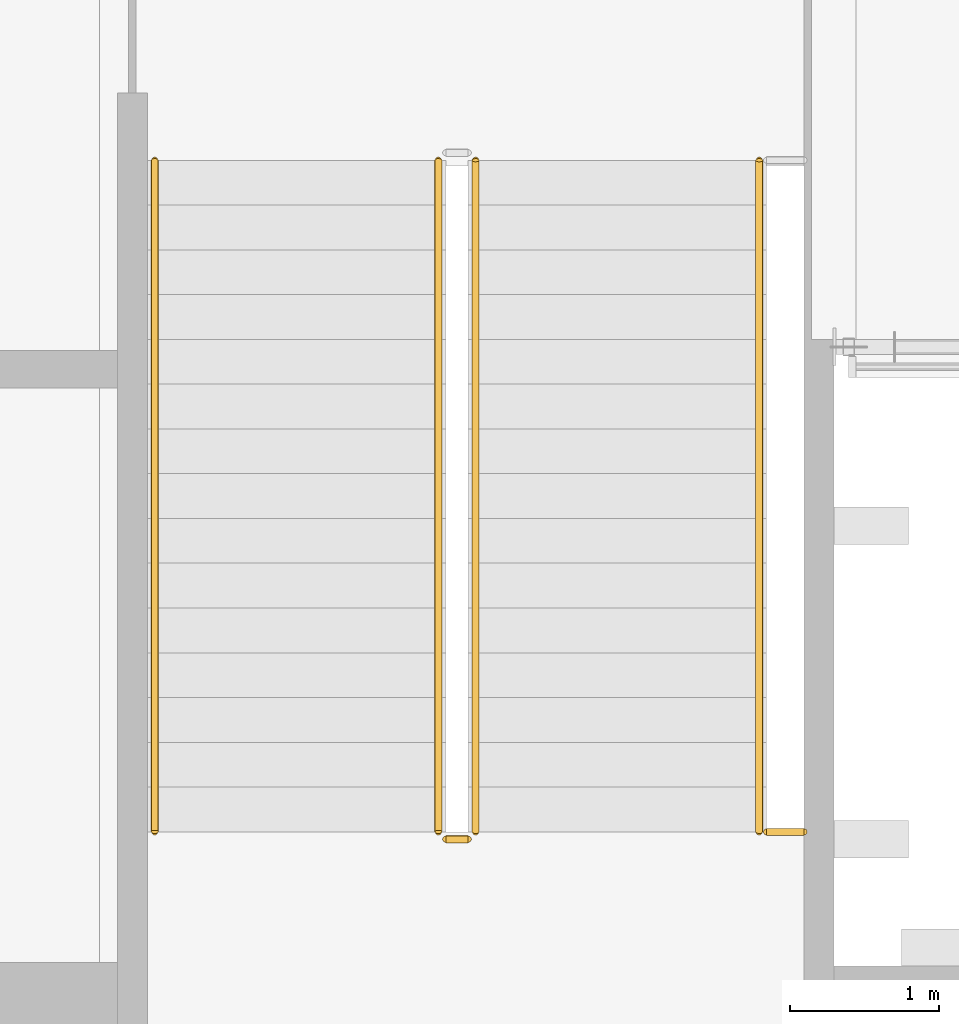
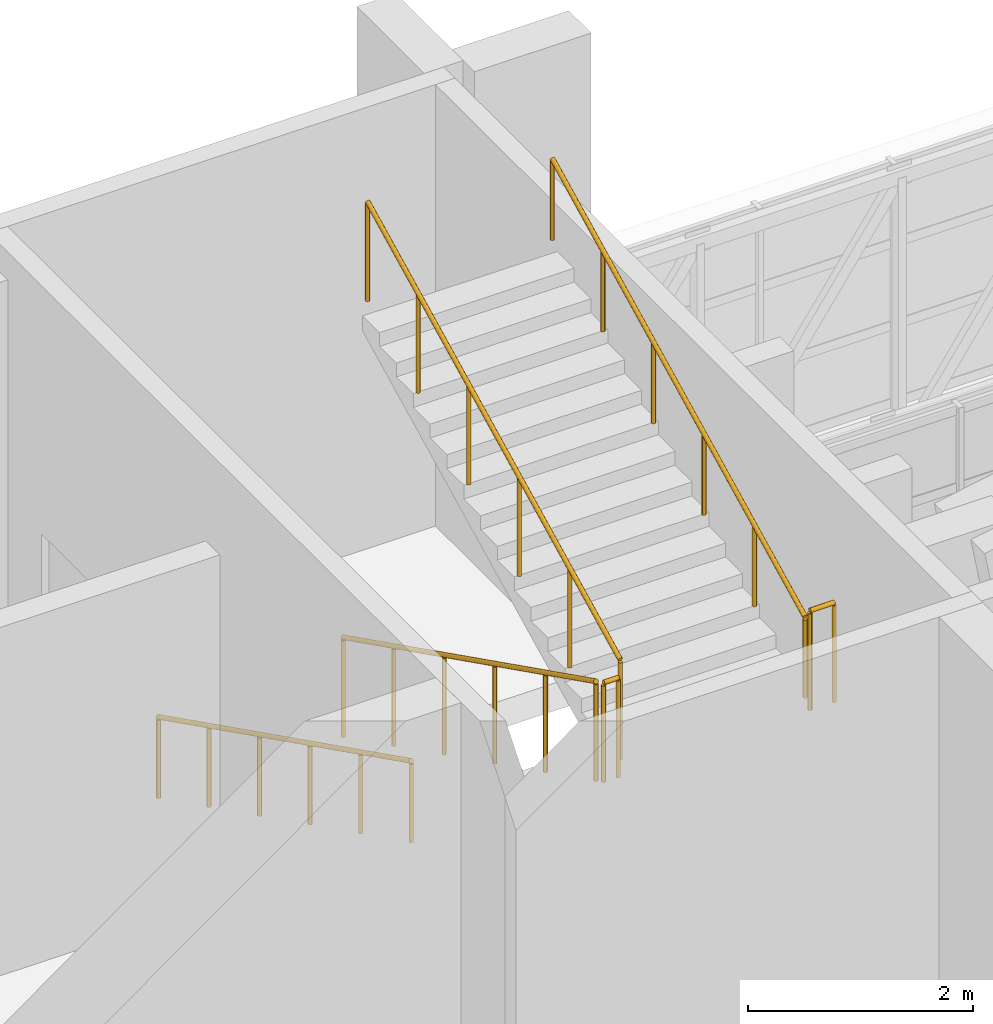
# One storey, part 82 of 91: 6 railings.
"""IFC4 building model written with IfcOpenShell, lengths in metres."""

import ifcopenshell
import ifcopenshell.guid

model = None  # the IFC model being written
_history = None  # IfcOwnerHistory: only IFC2X3 demands one
_inside = {}  # id of a spatial element -> (the spatial element, [elements in it])
_under = {}  # id of a project, library or spatial element -> (it, [spatial elements below it])
_declared = {}  # id of a project -> (the project, [libraries it declares])
_typed = {}  # id of a type object -> (the type object, [elements of that type])
_made_of = {}  # id of a material, layer set ... -> (it, [elements and type objects made of it])


def new_model(schema):
    """Start an empty IFC model of exactly this schema.

    Asked for "IFC4X3", IfcOpenShell would pick the latest addendum, in which some entities
    have other attributes; the version numbers below select the first issue.
    IFC2X3 requires an IfcOwnerHistory on every rooted entity: one is made here for all.
    """
    global model, _history
    if schema == "IFC4X3":
        model = ifcopenshell.file(schema_version=(4, 3, 0, 0))
    else:
        model = ifcopenshell.file(schema=schema)
    _inside.clear()
    _under.clear()
    _declared.clear()
    _typed.clear()
    _made_of.clear()
    _history = None
    if model.schema == "IFC2X3":
        org = make("IfcOrganization", Name="unknown")
        user = make(
            "IfcPersonAndOrganization",
            ThePerson=make("IfcPerson", FamilyName="unknown"),
            TheOrganization=org,
        )
        app = make(
            "IfcApplication",
            ApplicationDeveloper=org,
            Version="unknown",
            ApplicationFullName="unknown",
            ApplicationIdentifier="unknown",
        )
        _history = make(
            "IfcOwnerHistory",
            OwningUser=user,
            OwningApplication=app,
            ChangeAction="ADDED",
            CreationDate=0,
        )
    return model


def make(cls, **values):
    """One entity of the class cls with the attributes given. An attribute that is None is left unset."""
    return model.create_entity(
        cls, **{name: value for name, value in values.items() if value is not None}
    )


def rooted(cls, **values):
    """An entity with a GlobalId (a new one), such as an element, a storey or a relation."""
    return make(cls, GlobalId=ifcopenshell.guid.new(), OwnerHistory=_history, **values)


def si_unit(unit_type, name, prefix=None):
    """IfcSIUnit, for example si_unit("LENGTHUNIT", "METRE", prefix="MILLI")."""
    return make("IfcSIUnit", UnitType=unit_type, Prefix=prefix, Name=name)


def assignment(units):
    """IfcUnitAssignment: the units of a project."""
    return None if units is None else make("IfcUnitAssignment", Units=units)


def point(xyz):
    """IfcCartesianPoint."""
    return None if xyz is None else make("IfcCartesianPoint", Coordinates=xyz)


def direction(xyz):
    """IfcDirection."""
    return None if xyz is None else make("IfcDirection", DirectionRatios=xyz)


def frame(location, z_axis=None, x_axis=None):
    """IfcAxis2Placement3D, a coordinate frame: its origin and axes. An axis left out is left unset."""
    return make(
        "IfcAxis2Placement3D",
        Location=point(location),
        Axis=direction(z_axis),
        RefDirection=direction(x_axis),
    )


def frame_2d(location, x_axis=None):
    """IfcAxis2Placement2D, a coordinate frame in the plane: its origin and x axis."""
    return make(
        "IfcAxis2Placement2D", Location=point(location), RefDirection=direction(x_axis)
    )


def origin():
    """The frame at (0, 0, 0) with its axes left unset."""
    return frame((0.0, 0.0, 0.0))


def origin_2d():
    """The frame at (0, 0) in the plane with its x axis left unset."""
    return frame_2d((0.0, 0.0))


def place(relative_to, where):
    """IfcLocalPlacement: puts the frame where relative to a parent placement (None: the world)."""
    return make(
        "IfcLocalPlacement", PlacementRelTo=relative_to, RelativePlacement=where
    )


def context(
    kind, dimensions, precision=None, world=None, true_north=None, identifier=None
):
    """IfcGeometricRepresentationContext, for example the 3D "Model" context."""
    return make(
        "IfcGeometricRepresentationContext",
        ContextIdentifier=identifier,
        ContextType=kind,
        CoordinateSpaceDimension=dimensions,
        Precision=precision,
        WorldCoordinateSystem=world,
        TrueNorth=true_north,
    )


def subcontext(parent, identifier, kind, view, scale=None):
    """IfcGeometricRepresentationSubContext, for example "Body" below "Model"."""
    return make(
        "IfcGeometricRepresentationSubContext",
        ContextIdentifier=identifier,
        ContextType=kind,
        ParentContext=parent,
        TargetScale=scale,
        TargetView=view,
    )


def project(units=None, contexts=None):
    """IfcProject with its units and contexts."""
    return rooted(
        "IfcProject",
        Name="project",
        RepresentationContexts=contexts,
        UnitsInContext=assignment(units),
    )


def spatial(cls, under=None, at=None, **own):
    """A site, building, storey or space (cls), placed at a placement, below another one or the project."""
    s = rooted(cls, ObjectPlacement=at, **own)
    if under is not None:
        _under.setdefault(under.id(), (under, []))[1].append(s)
    return s


def profile(cls, at=None, kind="AREA", **sizes):
    """A parametric profile (cls). Its sizes go by their IFC names, for example OverallWidth=200.0."""
    return make(cls, ProfileType=kind, Position=at, **sizes)


def circle(**sizes):
    """IfcCircleProfileDef."""
    return profile("IfcCircleProfileDef", **sizes)


def extrude(swept, where, along, depth):
    """IfcExtrudedAreaSolid: the profile swept, set in the frame where, extruded along a direction by depth."""
    return make(
        "IfcExtrudedAreaSolid",
        SweptArea=swept,
        Position=where,
        ExtrudedDirection=direction(along),
        Depth=depth,
    )


def shape(context_of_items, identifier, shape_type, items):
    """IfcShapeRepresentation: the items that make up one representation, for example the "Body"."""
    return make(
        "IfcShapeRepresentation",
        ContextOfItems=context_of_items,
        RepresentationIdentifier=identifier,
        RepresentationType=shape_type,
        Items=items,
    )


def material(Name=None, Category=None):
    """IfcMaterial."""
    return make("IfcMaterial", Name=Name, Category=Category)


def made_of(thing, what):
    """Note that an element or type object is made of a material, layer set ...; save() writes the relation."""
    if what is not None:
        _made_of.setdefault(what.id(), (what, []))[1].append(thing)
    return thing


def type_object(cls, material=None, **own):
    """A type object (cls), such as IfcWallType, which elements share."""
    return made_of(rooted(cls, **own), material)


def element(
    cls,
    number,
    at=None,
    inside=None,
    cuts=None,
    type_object=None,
    material=None,
    context=None,
    identifier="Body",
    shape_type=None,
    held_by="IfcProductDefinitionShape",
    body=None,
    shapes=None,
    **own,
):
    """One element of the class cls, such as IfcWall. Its Tag is "e" and its number.

    at: its placement. inside: the storey or other place that contains it. cuts: it is an
    opening in that element (IfcRelVoidsElement). A single representation is given by context,
    identifier, shape_type and body (its items); several are given by shapes. held_by: the class
    of the entity that holds the representations. save() writes the other relations.
    """
    e = rooted(cls, Tag="e%d" % number, ObjectPlacement=at, **own)
    if body is not None:
        shapes = [shape(context, identifier, shape_type, body)]
    if shapes is not None:
        e.Representation = make(held_by, Representations=shapes)
    if inside is not None:
        _inside.setdefault(inside.id(), (inside, []))[1].append(e)
    if cuts is not None:
        rooted(
            "IfcRelVoidsElement", RelatingBuildingElement=cuts, RelatedOpeningElement=e
        )
    if type_object is not None:
        _typed.setdefault(type_object.id(), (type_object, []))[1].append(e)
    return made_of(e, material)


def aggregate(whole, parts):
    """IfcRelAggregates: a whole, such as a stair, and the parts it consists of."""
    return rooted("IfcRelAggregates", RelatingObject=whole, RelatedObjects=parts)


def save(model, path):
    """Write the relations noted so far, then the file.

    IfcRelAggregates (storeys below a building ...), IfcRelContainedInSpatialStructure (elements
    in a storey), IfcRelDefinesByType, IfcRelAssociatesMaterial and IfcRelDeclares: one each for
    every whole, place, type object, material and project.
    """
    for whole, parts in _under.values():
        aggregate(whole, parts)
    for where, things in _inside.values():
        rooted(
            "IfcRelContainedInSpatialStructure",
            RelatedElements=things,
            RelatingStructure=where,
        )
    for kind, things in _typed.values():
        rooted("IfcRelDefinesByType", RelatedObjects=things, RelatingType=kind)
    for what, things in _made_of.values():
        rooted("IfcRelAssociatesMaterial", RelatedObjects=things, RelatingMaterial=what)
    for by, libraries in _declared.values():
        rooted("IfcRelDeclares", RelatingContext=by, RelatedDefinitions=libraries)
    model.write(path)


model = new_model("IFC4")

# Units and contexts
model_context = context("Model", 3, precision=1e-05, world=origin(), true_north=direction((0.0, 1.0)))
body_context = subcontext(model_context, "Body", "Model", "MODEL_VIEW")
ifc_project = project(units=[si_unit("LENGTHUNIT", "METRE"), si_unit("AREAUNIT", "SQUARE_METRE"), si_unit("VOLUMEUNIT", "CUBIC_METRE"), si_unit("PLANEANGLEUNIT", "RADIAN"), si_unit("MASSUNIT", "GRAM", prefix="KILO")], contexts=[model_context])

# Site, building, storey
site_placement = place(None, origin())
site = spatial("IfcSite", under=ifc_project, at=site_placement, CompositionType="ELEMENT")
building_placement = place(site_placement, origin())
building = spatial("IfcBuilding", under=site, at=building_placement, Name="Kiln Court Media Centre", CompositionType="ELEMENT")
storey_placement = place(building_placement, frame((0.0, 0.0, 5.39990234375)))
storey = spatial("IfcBuildingStorey", under=building, at=storey_placement, Name="L01", CompositionType="ELEMENT", Elevation=5.39990234375)

# Railings
ifc_material_1 = material(Name="Steel S275", Category="steel")
railing_type_1 = type_object("IfcRailingType", Name="Steel S275 stair guard 1100", PredefinedType="GUARDRAIL", material=ifc_material_1)
railing_1_placement = place(storey_placement, frame((98.14990234375, 64.39990234375, 0.150146484375)))
element("IfcRailing", 1, at=railing_1_placement, inside=storey, type_object=railing_type_1, Name="ST-12 stair guard", PredefinedType="GUARDRAIL", context=body_context, shape_type="SweptSolid", body=[
    extrude(circle(Radius=0.02392578125, at=origin_2d()), frame((0.0, 0.0, 1.076171875), z_axis=(0.0, -0.894427191, 0.4472135955), x_axis=(1.0, 0.0, 0.0)), (0.0, 0.0, 1.0), 5.03125),
    extrude(circle(Radius=0.02099609375, at=origin_2d()), origin(), (0.0, 0.0, 1.0), 1.052001953125),
    extrude(circle(Radius=0.02099609375, at=origin_2d()), frame((0.0, -0.89990234375, 0.449951171875)), (0.0, 0.0, 1.0), 1.052001953125),
    extrude(circle(Radius=0.02099609375, at=origin_2d()), frame((0.0, -1.800048828125, 0.89990234375)), (0.0, 0.0, 1.0), 1.052001953125),
    extrude(circle(Radius=0.02099609375, at=origin_2d()), frame((0.0, -2.699951171875, 1.35009765625)), (0.0, 0.0, 1.0), 1.052001953125),
    extrude(circle(Radius=0.02099609375, at=origin_2d()), frame((0.0, -3.60009765625, 1.800048828125)), (0.0, 0.0, 1.0), 1.052001953125),
    extrude(circle(Radius=0.02099609375, at=origin_2d()), frame((0.0, -4.5, 2.25)), (0.0, 0.0, 1.0), 1.052001953125),
])
railing_2_placement = place(storey_placement, frame((98.199951171875, 59.85009765625, 2.400146484375)))
element("IfcRailing", 2, at=railing_2_placement, inside=storey, type_object=railing_type_1, Name="ST-12 stair guard", PredefinedType="GUARDRAIL", context=body_context, shape_type="SweptSolid", body=[
    extrude(circle(Radius=0.02392578125, at=origin_2d()), frame((0.0, 0.0, 1.076171875), z_axis=(1.0, 0.0, 0.0), x_axis=(0.0, 1.0, 0.0)), (0.0, 0.0, 1.0), 0.150146484375),
    extrude(circle(Radius=0.02099609375, at=origin_2d()), origin(), (0.0, 0.0, 1.0), 1.052001953125),
    extrude(circle(Radius=0.02099609375, at=origin_2d()), frame((0.150146484375, 0.0, 0.0)), (0.0, 0.0, 1.0), 1.052001953125),
])
railing_3_placement = place(storey_placement, frame((98.39990234375, 59.89990234375, 2.550048828125)))
element("IfcRailing", 3, at=railing_3_placement, inside=storey, type_object=railing_type_1, Name="ST-12 stair guard", PredefinedType="GUARDRAIL", context=body_context, shape_type="SweptSolid", body=[
    extrude(circle(Radius=0.02392578125, at=origin_2d()), frame((0.0, 0.0, 1.076171875), z_axis=(0.0, 0.894427191, 0.4472135955), x_axis=(-1.0, 0.0, 0.0)), (0.0, 0.0, 1.0), 5.03125),
    extrude(circle(Radius=0.02099609375, at=origin_2d()), origin(), (0.0, 0.0, 1.0), 1.052001953125),
    extrude(circle(Radius=0.02099609375, at=origin_2d()), frame((0.0, 0.89990234375, 0.449951171875)), (0.0, 0.0, 1.0), 1.052001953125),
    extrude(circle(Radius=0.02099609375, at=origin_2d()), frame((0.0, 1.800048828125, 0.89990234375)), (0.0, 0.0, 1.0), 1.052001953125),
    extrude(circle(Radius=0.02099609375, at=origin_2d()), frame((0.0, 2.699951171875, 1.35009765625)), (0.0, 0.0, 1.0), 1.052001953125),
    extrude(circle(Radius=0.02099609375, at=origin_2d()), frame((0.0, 3.60009765625, 1.800048828125)), (0.0, 0.0, 1.0), 1.052001953125),
    extrude(circle(Radius=0.02099609375, at=origin_2d()), frame((0.0, 4.5, 2.25)), (0.0, 0.0, 1.0), 1.052001953125),
])
railing_4_placement = place(storey_placement, frame((100.35009765625, 59.89990234375, 2.400146484375)))
element("IfcRailing", 4, at=railing_4_placement, inside=storey, type_object=railing_type_1, Name="ST-12 landing edge guard", PredefinedType="GUARDRAIL", context=body_context, shape_type="SweptSolid", body=[
    extrude(circle(Radius=0.02392578125, at=origin_2d()), frame((0.0, 0.0, 1.076171875), z_axis=(1.0, 0.0, 0.0), x_axis=(0.0, 1.0, 0.0)), (0.0, 0.0, 1.0), 0.25),
    extrude(circle(Radius=0.02099609375, at=origin_2d()), origin(), (0.0, 0.0, 1.0), 1.052001953125),
    extrude(circle(Radius=0.02099609375, at=origin_2d()), frame((0.25, 0.0, 0.0)), (0.0, 0.0, 1.0), 1.052001953125),
])
ifc_material_2 = material(Name="Steel S275", Category="steel")
railing_type_2 = type_object("IfcRailingType", Name="Steel S275 stair handrail 900", PredefinedType="HANDRAIL", material=ifc_material_2)
railing_5_placement = place(storey_placement, frame((96.25, 64.39990234375, 0.150146484375)))
element("IfcRailing", 5, at=railing_5_placement, inside=storey, type_object=railing_type_2, Name="ST-12 stair handrail", PredefinedType="HANDRAIL", context=body_context, shape_type="SweptSolid", body=[
    extrude(circle(Radius=0.02392578125, at=origin_2d()), frame((0.0, 0.0, 0.8759765625), z_axis=(0.0, -0.894427191, 0.4472135955), x_axis=(1.0, 0.0, 0.0)), (0.0, 0.0, 1.0), 5.03125),
    extrude(circle(Radius=0.02099609375, at=origin_2d()), origin(), (0.0, 0.0, 1.0), 0.851806640625),
    extrude(circle(Radius=0.02099609375, at=origin_2d()), frame((0.0, -0.89990234375, 0.449951171875)), (0.0, 0.0, 1.0), 0.851806640625),
    extrude(circle(Radius=0.02099609375, at=origin_2d()), frame((0.0, -1.800048828125, 0.89990234375)), (0.0, 0.0, 1.0), 0.851806640625),
    extrude(circle(Radius=0.02099609375, at=origin_2d()), frame((0.0, -2.699951171875, 1.35009765625)), (0.0, 0.0, 1.0), 0.851806640625),
    extrude(circle(Radius=0.02099609375, at=origin_2d()), frame((0.0, -3.60009765625, 1.800048828125)), (0.0, 0.0, 1.0), 0.851806640625),
    extrude(circle(Radius=0.02099609375, at=origin_2d()), frame((0.0, -4.5, 2.25)), (0.0, 0.0, 1.0), 0.851806640625),
])
railing_6_placement = place(storey_placement, frame((100.300048828125, 59.89990234375, 2.550048828125)))
element("IfcRailing", 6, at=railing_6_placement, inside=storey, type_object=railing_type_2, Name="ST-12 stair handrail", PredefinedType="HANDRAIL", context=body_context, shape_type="SweptSolid", body=[
    extrude(circle(Radius=0.02392578125, at=origin_2d()), frame((0.0, 0.0, 0.8759765625), z_axis=(0.0, 0.894427191, 0.4472135955), x_axis=(-1.0, 0.0, 0.0)), (0.0, 0.0, 1.0), 5.03125),
    extrude(circle(Radius=0.02099609375, at=origin_2d()), origin(), (0.0, 0.0, 1.0), 0.851806640625),
    extrude(circle(Radius=0.02099609375, at=origin_2d()), frame((0.0, 0.89990234375, 0.449951171875)), (0.0, 0.0, 1.0), 0.851806640625),
    extrude(circle(Radius=0.02099609375, at=origin_2d()), frame((0.0, 1.800048828125, 0.89990234375)), (0.0, 0.0, 1.0), 0.851806640625),
    extrude(circle(Radius=0.02099609375, at=origin_2d()), frame((0.0, 2.699951171875, 1.35009765625)), (0.0, 0.0, 1.0), 0.851806640625),
    extrude(circle(Radius=0.02099609375, at=origin_2d()), frame((0.0, 3.60009765625, 1.800048828125)), (0.0, 0.0, 1.0), 0.851806640625),
    extrude(circle(Radius=0.02099609375, at=origin_2d()), frame((0.0, 4.5, 2.25)), (0.0, 0.0, 1.0), 0.851806640625),
])

save(model, "model.ifc")
